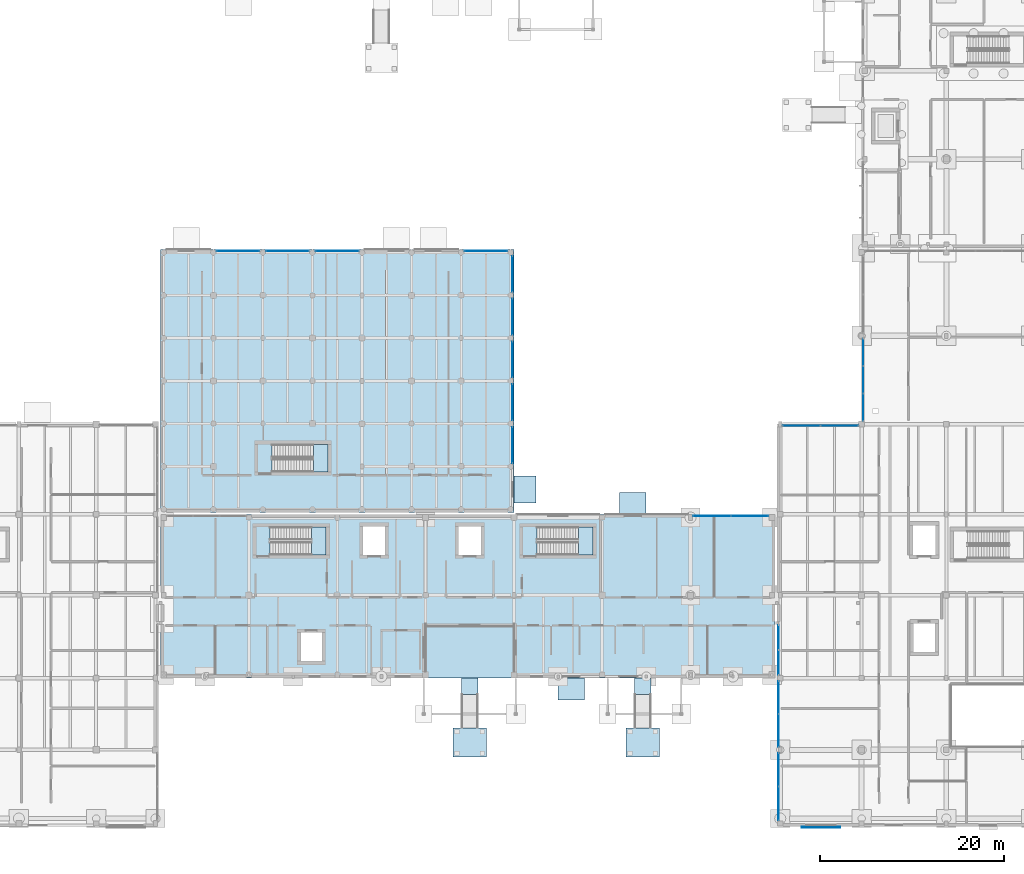
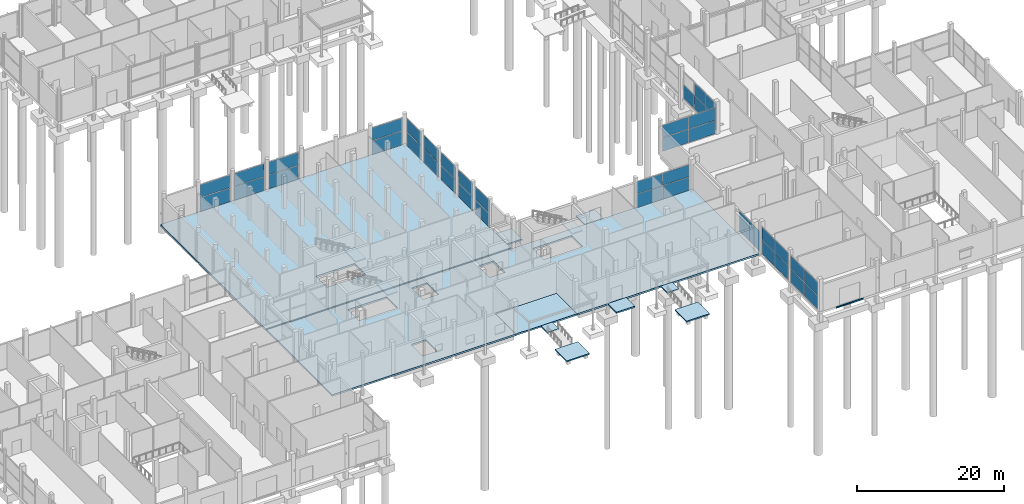
# One storey, part 49 of 88: 41 plates, 14 slabs, 20 elements without a shape of their own.
"""IFC4 building model written with IfcOpenShell, lengths in metres."""

from ifc_helpers import new_model, si_unit, direction, frame, origin, origin_2d, place, context, subcontext, project, spatial, polyline, rectangle, outline, extrude, material, layer, layer_set, type_object, element, aggregate, save


model = new_model("IFC4")

# Units and contexts
model_context = context("Model", 3, precision=1e-05, world=origin(), true_north=direction((0.0, 1.0)))
body_context = subcontext(model_context, "Body", "Model", "MODEL_VIEW")
ifc_project = project(units=[si_unit("LENGTHUNIT", "METRE"), si_unit("AREAUNIT", "SQUARE_METRE"), si_unit("VOLUMEUNIT", "CUBIC_METRE"), si_unit("PLANEANGLEUNIT", "RADIAN"), si_unit("MASSUNIT", "GRAM", prefix="KILO")], contexts=[model_context])

# Site, building, storey
site_placement = place(None, origin())
site = spatial("IfcSite", under=ifc_project, at=site_placement, CompositionType="ELEMENT")
building_placement = place(site_placement, origin())
building = spatial("IfcBuilding", under=site, at=building_placement, Name="Birchvale Park Specialist Clinic", CompositionType="ELEMENT")
storey_placement = place(building_placement, origin())
storey = spatial("IfcBuildingStorey", under=building, at=storey_placement, Name="L00", CompositionType="ELEMENT", Elevation=0.0)

# Curtain wall, plates
ifc_material_1 = material(Name="Thermally broken anodised aluminium", Category="aluminium")
ifc_layer_1 = layer(ifc_material_1, 0.179931640625)
ifc_layer_set_1 = layer_set([ifc_layer_1], Name="Thermally broken anodised aluminium")
curtain_wall_type_1 = type_object("IfcCurtainWallType", Name="CW-U1", PredefinedType="USERDEFINED", material=ifc_layer_set_1)
curtain_wall_1_placement = place(storey_placement, origin())
curtain_wall_1 = element("IfcCurtainWall", 1, at=curtain_wall_1_placement, inside=storey, type_object=curtain_wall_type_1, Name="V4 L00 glazed curtain wall 44", ObjectType="UNITISED", PredefinedType="USERDEFINED")
ifc_material_2 = material(Name="Solar-control low-E double glazing", Category="glass")
ifc_layer_2 = layer(ifc_material_2, 0.028076171875)
ifc_layer_set_2 = layer_set([ifc_layer_2], Name="Solar-control low-E double glazing")
plate_type_1 = type_object("IfcPlateType", Name="CWP1", PredefinedType="CURTAIN_PANEL", material=ifc_layer_set_2)
plate_1_placement = place(storey_placement, frame((115.826171875, 34.409912109375, 0.06005859375), z_axis=(0.0, 0.0, 1.0), x_axis=(-1.0, 0.0, 0.0)))
plate_1 = element("IfcPlate", 2, at=plate_1_placement, type_object=plate_type_1, Name="CW panel 1.1", PredefinedType="CURTAIN_PANEL", context=body_context, shape_type="SweptSolid", body=[
    extrude(rectangle(XDim=4.047607421875, YDim=0.028076171875, at=origin_2d()), origin(), (0.0, 0.0, 1.0), 2.205810546875),
])
plate_2_placement = place(storey_placement, frame((115.826171875, 34.409912109375, 2.32568359375), z_axis=(0.0, 0.0, 1.0), x_axis=(-1.0, 0.0, 0.0)))
plate_2 = element("IfcPlate", 3, at=plate_2_placement, type_object=plate_type_1, Name="CW panel 1.2", PredefinedType="CURTAIN_PANEL", context=body_context, shape_type="SweptSolid", body=[
    extrude(rectangle(XDim=4.047607421875, YDim=0.028076171875, at=origin_2d()), origin(), (0.0, 0.0, 1.0), 2.029296875),
])
plate_3_placement = place(storey_placement, frame((111.71875, 34.409912109375, 0.06005859375), z_axis=(0.0, 0.0, 1.0), x_axis=(-1.0, 0.0, 0.0)))
plate_3 = element("IfcPlate", 4, at=plate_3_placement, type_object=plate_type_1, Name="CW panel 2.1", PredefinedType="CURTAIN_PANEL", context=body_context, shape_type="SweptSolid", body=[
    extrude(rectangle(XDim=4.047607421875, YDim=0.028076171875, at=origin_2d()), origin(), (0.0, 0.0, 1.0), 2.205810546875),
])
plate_4_placement = place(storey_placement, frame((111.71875, 34.409912109375, 2.32568359375), z_axis=(0.0, 0.0, 1.0), x_axis=(-1.0, 0.0, 0.0)))
plate_4 = element("IfcPlate", 5, at=plate_4_placement, type_object=plate_type_1, Name="CW panel 2.2", PredefinedType="CURTAIN_PANEL", context=body_context, shape_type="SweptSolid", body=[
    extrude(rectangle(XDim=4.047607421875, YDim=0.028076171875, at=origin_2d()), origin(), (0.0, 0.0, 1.0), 2.029296875),
])
aggregate(curtain_wall_1, [plate_1, plate_2, plate_3, plate_4])

ifc_layer_3 = layer(ifc_material_1, 0.195068359375)
ifc_layer_set_3 = layer_set([ifc_layer_3], Name="Thermally broken anodised aluminium")
curtain_wall_type_2 = type_object("IfcCurtainWallType", Name="CW-U2", PredefinedType="USERDEFINED", material=ifc_layer_set_3)
curtain_wall_2_placement = place(storey_placement, origin())
curtain_wall_2 = element("IfcCurtainWall", 6, at=curtain_wall_2_placement, inside=storey, type_object=curtain_wall_type_2, Name="V1 L00 glazed curtain wall 1", ObjectType="UNITISED", PredefinedType="USERDEFINED")
ifc_layer_4 = layer(ifc_material_2, 0.031982421875)
ifc_layer_set_4 = layer_set([ifc_layer_4], Name="Solar-control low-E double glazing")
plate_type_2 = type_object("IfcPlateType", Name="CWP2", PredefinedType="CURTAIN_PANEL", material=ifc_layer_set_4)
plate_5_placement = place(storey_placement, frame((90.034912109375, 42.125, 0.06494140625), z_axis=(0.0, 0.0, 1.0), x_axis=(0.0, 1.0, 0.0)))
plate_5 = element("IfcPlate", 7, at=plate_5_placement, type_object=plate_type_2, Name="CW panel 1.1", PredefinedType="CURTAIN_PANEL", context=body_context, shape_type="SweptSolid", body=[
    extrude(rectangle(XDim=3.89990234375, YDim=0.031982421875, at=origin_2d()), origin(), (0.0, 0.0, 1.0), 2.3076171875),
])
plate_6_placement = place(storey_placement, frame((90.034912109375, 42.125, 2.4375), z_axis=(0.0, 0.0, 1.0), x_axis=(0.0, 1.0, 0.0)))
plate_6 = element("IfcPlate", 8, at=plate_6_placement, type_object=plate_type_2, Name="CW panel 1.2", PredefinedType="CURTAIN_PANEL", context=body_context, shape_type="SweptSolid", body=[
    extrude(rectangle(XDim=3.89990234375, YDim=0.031982421875, at=origin_2d()), origin(), (0.0, 0.0, 1.0), 2.12255859375),
])
aggregate(curtain_wall_2, [plate_5, plate_6])

curtain_wall_3_placement = place(storey_placement, origin())
curtain_wall_3 = element("IfcCurtainWall", 9, at=curtain_wall_3_placement, inside=storey, type_object=curtain_wall_type_2, Name="V1 L00 glazed curtain wall 2", ObjectType="UNITISED", PredefinedType="USERDEFINED")
plate_7_placement = place(storey_placement, frame((90.034912109375, 46.77490234375, 0.06494140625), z_axis=(0.0, 0.0, 1.0), x_axis=(0.0, 1.0, 0.0)))
plate_7 = element("IfcPlate", 10, at=plate_7_placement, type_object=plate_type_2, Name="CW panel 1.1", PredefinedType="CURTAIN_PANEL", context=body_context, shape_type="SweptSolid", body=[
    extrude(rectangle(XDim=3.89990234375, YDim=0.031982421875, at=origin_2d()), origin(), (0.0, 0.0, 1.0), 2.3076171875),
])
plate_8_placement = place(storey_placement, frame((90.034912109375, 46.77490234375, 2.4375), z_axis=(0.0, 0.0, 1.0), x_axis=(0.0, 1.0, 0.0)))
plate_8 = element("IfcPlate", 11, at=plate_8_placement, type_object=plate_type_2, Name="CW panel 1.2", PredefinedType="CURTAIN_PANEL", context=body_context, shape_type="SweptSolid", body=[
    extrude(rectangle(XDim=3.89990234375, YDim=0.031982421875, at=origin_2d()), origin(), (0.0, 0.0, 1.0), 2.12255859375),
])
aggregate(curtain_wall_3, [plate_7, plate_8])

curtain_wall_4_placement = place(storey_placement, origin())
curtain_wall_4 = element("IfcCurtainWall", 12, at=curtain_wall_4_placement, inside=storey, type_object=curtain_wall_type_2, Name="V1 L00 glazed curtain wall 3", ObjectType="UNITISED", PredefinedType="USERDEFINED")
plate_9_placement = place(storey_placement, frame((90.034912109375, 51.425048828125, 0.06494140625), z_axis=(0.0, 0.0, 1.0), x_axis=(0.0, 1.0, 0.0)))
plate_9 = element("IfcPlate", 13, at=plate_9_placement, type_object=plate_type_2, Name="CW panel 1.1", PredefinedType="CURTAIN_PANEL", context=body_context, shape_type="SweptSolid", body=[
    extrude(rectangle(XDim=3.89990234375, YDim=0.031982421875, at=origin_2d()), origin(), (0.0, 0.0, 1.0), 2.3076171875),
])
plate_10_placement = place(storey_placement, frame((90.034912109375, 51.425048828125, 2.4375), z_axis=(0.0, 0.0, 1.0), x_axis=(0.0, 1.0, 0.0)))
plate_10 = element("IfcPlate", 14, at=plate_10_placement, type_object=plate_type_2, Name="CW panel 1.2", PredefinedType="CURTAIN_PANEL", context=body_context, shape_type="SweptSolid", body=[
    extrude(rectangle(XDim=3.89990234375, YDim=0.031982421875, at=origin_2d()), origin(), (0.0, 0.0, 1.0), 2.12255859375),
])
aggregate(curtain_wall_4, [plate_9, plate_10])

curtain_wall_5_placement = place(storey_placement, origin())
curtain_wall_5 = element("IfcCurtainWall", 15, at=curtain_wall_5_placement, inside=storey, type_object=curtain_wall_type_2, Name="V1 L00 glazed curtain wall 4", ObjectType="UNITISED", PredefinedType="USERDEFINED")
plate_11_placement = place(storey_placement, frame((90.034912109375, 56.074951171875, 0.06494140625), z_axis=(0.0, 0.0, 1.0), x_axis=(0.0, 1.0, 0.0)))
plate_11 = element("IfcPlate", 16, at=plate_11_placement, type_object=plate_type_2, Name="CW panel 1.1", PredefinedType="CURTAIN_PANEL", context=body_context, shape_type="SweptSolid", body=[
    extrude(rectangle(XDim=3.89990234375, YDim=0.031982421875, at=origin_2d()), origin(), (0.0, 0.0, 1.0), 2.3076171875),
])
plate_12_placement = place(storey_placement, frame((90.034912109375, 56.074951171875, 2.4375), z_axis=(0.0, 0.0, 1.0), x_axis=(0.0, 1.0, 0.0)))
plate_12 = element("IfcPlate", 17, at=plate_12_placement, type_object=plate_type_2, Name="CW panel 1.2", PredefinedType="CURTAIN_PANEL", context=body_context, shape_type="SweptSolid", body=[
    extrude(rectangle(XDim=3.89990234375, YDim=0.031982421875, at=origin_2d()), origin(), (0.0, 0.0, 1.0), 2.12255859375),
])
aggregate(curtain_wall_5, [plate_11, plate_12])

curtain_wall_6_placement = place(storey_placement, origin())
curtain_wall_6 = element("IfcCurtainWall", 18, at=curtain_wall_6_placement, inside=storey, type_object=curtain_wall_type_2, Name="V1 L00 glazed curtain wall 5", ObjectType="UNITISED", PredefinedType="USERDEFINED")
plate_13_placement = place(storey_placement, frame((90.034912109375, 60.72509765625, 0.06494140625), z_axis=(0.0, 0.0, 1.0), x_axis=(0.0, 1.0, 0.0)))
plate_13 = element("IfcPlate", 19, at=plate_13_placement, type_object=plate_type_2, Name="CW panel 1.1", PredefinedType="CURTAIN_PANEL", context=body_context, shape_type="SweptSolid", body=[
    extrude(rectangle(XDim=3.89990234375, YDim=0.031982421875, at=origin_2d()), origin(), (0.0, 0.0, 1.0), 2.3076171875),
])
plate_14_placement = place(storey_placement, frame((90.034912109375, 60.72509765625, 2.4375), z_axis=(0.0, 0.0, 1.0), x_axis=(0.0, 1.0, 0.0)))
plate_14 = element("IfcPlate", 20, at=plate_14_placement, type_object=plate_type_2, Name="CW panel 1.2", PredefinedType="CURTAIN_PANEL", context=body_context, shape_type="SweptSolid", body=[
    extrude(rectangle(XDim=3.89990234375, YDim=0.031982421875, at=origin_2d()), origin(), (0.0, 0.0, 1.0), 2.12255859375),
])
aggregate(curtain_wall_6, [plate_13, plate_14])

curtain_wall_7_placement = place(storey_placement, origin())
curtain_wall_7 = element("IfcCurtainWall", 21, at=curtain_wall_7_placement, inside=storey, type_object=curtain_wall_type_2, Name="V1 L00 glazed curtain wall 6", ObjectType="UNITISED", PredefinedType="USERDEFINED")
plate_15_placement = place(storey_placement, frame((87.1572265625, 63.235107421875, 0.06494140625), z_axis=(0.0, 0.0, 1.0), x_axis=(-1.0, 0.0, 0.0)))
plate_15 = element("IfcPlate", 22, at=plate_15_placement, type_object=plate_type_2, Name="CW panel 1.1", PredefinedType="CURTAIN_PANEL", context=body_context, shape_type="SweptSolid", body=[
    extrude(rectangle(XDim=4.6357421875, YDim=0.031982421875, at=origin_2d()), origin(), (0.0, 0.0, 1.0), 2.281494140625),
])
plate_16_placement = place(storey_placement, frame((87.1572265625, 63.235107421875, 2.41162109375), z_axis=(0.0, 0.0, 1.0), x_axis=(-1.0, 0.0, 0.0)))
plate_16 = element("IfcPlate", 23, at=plate_16_placement, type_object=plate_type_2, Name="CW panel 1.2", PredefinedType="CURTAIN_PANEL", context=body_context, shape_type="SweptSolid", body=[
    extrude(rectangle(XDim=4.6357421875, YDim=0.031982421875, at=origin_2d()), origin(), (0.0, 0.0, 1.0), 2.098388671875),
])
aggregate(curtain_wall_7, [plate_15, plate_16])

curtain_wall_8_placement = place(storey_placement, origin())
curtain_wall_8 = element("IfcCurtainWall", 24, at=curtain_wall_8_placement, inside=storey, type_object=curtain_wall_type_2, Name="V1 L00 glazed curtain wall 7", ObjectType="UNITISED", PredefinedType="USERDEFINED")
plate_17_placement = place(storey_placement, frame((71.0, 63.235107421875, 0.06494140625), z_axis=(0.0, 0.0, 1.0), x_axis=(-1.0, 0.0, 0.0)))
plate_17 = element("IfcPlate", 25, at=plate_17_placement, type_object=plate_type_2, Name="CW panel 1.1", PredefinedType="CURTAIN_PANEL", context=body_context, shape_type="SweptSolid", body=[
    extrude(rectangle(XDim=4.6357421875, YDim=0.031982421875, at=origin_2d()), origin(), (0.0, 0.0, 1.0), 2.281494140625),
])
plate_18_placement = place(storey_placement, frame((71.0, 63.235107421875, 2.41162109375), z_axis=(0.0, 0.0, 1.0), x_axis=(-1.0, 0.0, 0.0)))
plate_18 = element("IfcPlate", 26, at=plate_18_placement, type_object=plate_type_2, Name="CW panel 1.2", PredefinedType="CURTAIN_PANEL", context=body_context, shape_type="SweptSolid", body=[
    extrude(rectangle(XDim=4.6357421875, YDim=0.031982421875, at=origin_2d()), origin(), (0.0, 0.0, 1.0), 2.098388671875),
])
aggregate(curtain_wall_8, [plate_17, plate_18])

curtain_wall_9_placement = place(storey_placement, origin())
curtain_wall_9 = element("IfcCurtainWall", 27, at=curtain_wall_9_placement, inside=storey, type_object=curtain_wall_type_2, Name="V1 L00 glazed curtain wall 8", ObjectType="UNITISED", PredefinedType="USERDEFINED")
plate_19_placement = place(storey_placement, frame((65.6142578125, 63.235107421875, 0.06494140625), z_axis=(0.0, 0.0, 1.0), x_axis=(-1.0, 0.0, 0.0)))
plate_19 = element("IfcPlate", 28, at=plate_19_placement, type_object=plate_type_2, Name="CW panel 1.1", PredefinedType="CURTAIN_PANEL", context=body_context, shape_type="SweptSolid", body=[
    extrude(rectangle(XDim=4.6357421875, YDim=0.031982421875, at=origin_2d()), origin(), (0.0, 0.0, 1.0), 2.281494140625),
])
plate_20_placement = place(storey_placement, frame((65.6142578125, 63.235107421875, 2.41162109375), z_axis=(0.0, 0.0, 1.0), x_axis=(-1.0, 0.0, 0.0)))
plate_20 = element("IfcPlate", 29, at=plate_20_placement, type_object=plate_type_2, Name="CW panel 1.2", PredefinedType="CURTAIN_PANEL", context=body_context, shape_type="SweptSolid", body=[
    extrude(rectangle(XDim=4.6357421875, YDim=0.031982421875, at=origin_2d()), origin(), (0.0, 0.0, 1.0), 2.098388671875),
])
aggregate(curtain_wall_9, [plate_19, plate_20])

curtain_wall_10_placement = place(storey_placement, origin())
curtain_wall_10 = element("IfcCurtainWall", 30, at=curtain_wall_10_placement, inside=storey, type_object=curtain_wall_type_2, Name="V1 L00 glazed curtain wall 9", ObjectType="UNITISED", PredefinedType="USERDEFINED")
plate_21_placement = place(storey_placement, frame((60.228515625, 63.235107421875, 0.06494140625), z_axis=(0.0, 0.0, 1.0), x_axis=(-1.0, 0.0, 0.0)))
plate_21 = element("IfcPlate", 31, at=plate_21_placement, type_object=plate_type_2, Name="CW panel 1.1", PredefinedType="CURTAIN_PANEL", context=body_context, shape_type="SweptSolid", body=[
    extrude(rectangle(XDim=4.6357421875, YDim=0.031982421875, at=origin_2d()), origin(), (0.0, 0.0, 1.0), 2.281494140625),
])
plate_22_placement = place(storey_placement, frame((60.228515625, 63.235107421875, 2.41162109375), z_axis=(0.0, 0.0, 1.0), x_axis=(-1.0, 0.0, 0.0)))
plate_22 = element("IfcPlate", 32, at=plate_22_placement, type_object=plate_type_2, Name="CW panel 1.2", PredefinedType="CURTAIN_PANEL", context=body_context, shape_type="SweptSolid", body=[
    extrude(rectangle(XDim=4.6357421875, YDim=0.031982421875, at=origin_2d()), origin(), (0.0, 0.0, 1.0), 2.098388671875),
])
aggregate(curtain_wall_10, [plate_21, plate_22])

curtain_wall_11_placement = place(storey_placement, origin())
curtain_wall_11 = element("IfcCurtainWall", 33, at=curtain_wall_11_placement, inside=storey, type_object=curtain_wall_type_2, Name="V5 L00 glazed curtain wall 51", ObjectType="UNITISED", PredefinedType="USERDEFINED")
plate_23_placement = place(storey_placement, frame((125.580078125, 44.22509765625, 0.06494140625), z_axis=(0.0, 0.0, 1.0), x_axis=(-1.0, 0.0, 0.0)))
plate_23 = element("IfcPlate", 34, at=plate_23_placement, type_object=plate_type_2, Name="CW panel 1.1", PredefinedType="CURTAIN_PANEL", context=body_context, shape_type="SweptSolid", body=[
    extrude(rectangle(XDim=4.06005859375, YDim=0.031982421875, at=origin_2d()), origin(), (0.0, 0.0, 1.0), 2.208740234375),
])
plate_24_placement = place(storey_placement, frame((125.580078125, 44.22509765625, 2.338623046875), z_axis=(0.0, 0.0, 1.0), x_axis=(-1.0, 0.0, 0.0)))
plate_24 = element("IfcPlate", 35, at=plate_24_placement, type_object=plate_type_2, Name="CW panel 1.2", PredefinedType="CURTAIN_PANEL", context=body_context, shape_type="SweptSolid", body=[
    extrude(rectangle(XDim=4.06005859375, YDim=0.031982421875, at=origin_2d()), origin(), (0.0, 0.0, 1.0), 2.03125),
])
plate_25_placement = place(storey_placement, frame((121.455078125, 44.22509765625, 0.06494140625), z_axis=(0.0, 0.0, 1.0), x_axis=(-1.0, 0.0, 0.0)))
plate_25 = element("IfcPlate", 36, at=plate_25_placement, type_object=plate_type_2, Name="CW panel 2.1", PredefinedType="CURTAIN_PANEL", context=body_context, shape_type="SweptSolid", body=[
    extrude(rectangle(XDim=4.06005859375, YDim=0.031982421875, at=origin_2d()), origin(), (0.0, 0.0, 1.0), 2.208740234375),
])
plate_26_placement = place(storey_placement, frame((121.455078125, 44.22509765625, 2.338623046875), z_axis=(0.0, 0.0, 1.0), x_axis=(-1.0, 0.0, 0.0)))
plate_26 = element("IfcPlate", 37, at=plate_26_placement, type_object=plate_type_2, Name="CW panel 2.2", PredefinedType="CURTAIN_PANEL", context=body_context, shape_type="SweptSolid", body=[
    extrude(rectangle(XDim=4.06005859375, YDim=0.031982421875, at=origin_2d()), origin(), (0.0, 0.0, 1.0), 2.03125),
])
aggregate(curtain_wall_11, [plate_23, plate_24, plate_25, plate_26])

curtain_wall_12_placement = place(storey_placement, origin())
curtain_wall_12 = element("IfcCurtainWall", 38, at=curtain_wall_12_placement, inside=storey, type_object=curtain_wall_type_2, Name="V5 L00 glazed curtain wall 52", ObjectType="UNITISED", PredefinedType="USERDEFINED")
plate_27_placement = place(storey_placement, frame((118.97509765625, 21.22509765625, 0.06494140625), z_axis=(0.0, 0.0, 1.0), x_axis=(0.0, -1.0, 0.0)))
plate_27 = element("IfcPlate", 39, at=plate_27_placement, type_object=plate_type_2, Name="CW panel 1.1", PredefinedType="CURTAIN_PANEL", context=body_context, shape_type="SweptSolid", body=[
    extrude(rectangle(XDim=2.669921875, YDim=0.031982421875, at=origin_2d()), origin(), (0.0, 0.0, 1.0), 3.3779296875),
])
plate_28_placement = place(storey_placement, frame((118.97509765625, 18.489990234375, 0.06494140625), z_axis=(0.0, 0.0, 1.0), x_axis=(0.0, -1.0, 0.0)))
plate_28 = element("IfcPlate", 40, at=plate_28_placement, type_object=plate_type_2, Name="CW panel 2.1", PredefinedType="CURTAIN_PANEL", context=body_context, shape_type="SweptSolid", body=[
    extrude(rectangle(XDim=2.669921875, YDim=0.031982421875, at=origin_2d()), origin(), (0.0, 0.0, 1.0), 3.3779296875),
])
aggregate(curtain_wall_12, [plate_27, plate_28])

curtain_wall_13_placement = place(storey_placement, origin())
curtain_wall_13 = element("IfcCurtainWall", 41, at=curtain_wall_13_placement, inside=storey, type_object=curtain_wall_type_2, Name="V5 L00 glazed curtain wall 53", ObjectType="UNITISED", PredefinedType="USERDEFINED")
plate_29_placement = place(storey_placement, frame((118.97509765625, 14.688720703125, 0.06494140625), z_axis=(0.0, 0.0, 1.0), x_axis=(0.0, -1.0, 0.0)))
plate_29 = element("IfcPlate", 42, at=plate_29_placement, type_object=plate_type_2, Name="CW panel 1.1", PredefinedType="CURTAIN_PANEL", context=body_context, shape_type="SweptSolid", body=[
    extrude(rectangle(XDim=3.512451171875, YDim=0.031982421875, at=origin_2d()), origin(), (0.0, 0.0, 1.0), 2.27880859375),
])
plate_30_placement = place(storey_placement, frame((118.97509765625, 14.688720703125, 2.408935546875), z_axis=(0.0, 0.0, 1.0), x_axis=(0.0, -1.0, 0.0)))
plate_30 = element("IfcPlate", 43, at=plate_30_placement, type_object=plate_type_2, Name="CW panel 1.2", PredefinedType="CURTAIN_PANEL", context=body_context, shape_type="SweptSolid", body=[
    extrude(rectangle(XDim=3.512451171875, YDim=0.031982421875, at=origin_2d()), origin(), (0.0, 0.0, 1.0), 2.09619140625),
])
plate_31_placement = place(storey_placement, frame((118.97509765625, 11.111328125, 0.06494140625), z_axis=(0.0, 0.0, 1.0), x_axis=(0.0, -1.0, 0.0)))
plate_31 = element("IfcPlate", 44, at=plate_31_placement, type_object=plate_type_2, Name="CW panel 2.1", PredefinedType="CURTAIN_PANEL", context=body_context, shape_type="SweptSolid", body=[
    extrude(rectangle(XDim=3.512451171875, YDim=0.031982421875, at=origin_2d()), origin(), (0.0, 0.0, 1.0), 2.27880859375),
])
plate_32_placement = place(storey_placement, frame((118.97509765625, 11.111328125, 2.408935546875), z_axis=(0.0, 0.0, 1.0), x_axis=(0.0, -1.0, 0.0)))
plate_32 = element("IfcPlate", 45, at=plate_32_placement, type_object=plate_type_2, Name="CW panel 2.2", PredefinedType="CURTAIN_PANEL", context=body_context, shape_type="SweptSolid", body=[
    extrude(rectangle(XDim=3.512451171875, YDim=0.031982421875, at=origin_2d()), origin(), (0.0, 0.0, 1.0), 2.09619140625),
])
aggregate(curtain_wall_13, [plate_29, plate_30, plate_31, plate_32])

curtain_wall_14_placement = place(storey_placement, origin())
curtain_wall_14 = element("IfcCurtainWall", 46, at=curtain_wall_14_placement, inside=storey, type_object=curtain_wall_type_2, Name="V5 L00 glazed curtain wall 54", ObjectType="UNITISED", PredefinedType="USERDEFINED")
plate_33_placement = place(storey_placement, frame((118.97509765625, 6.8388671875, 0.06494140625), z_axis=(0.0, 0.0, 1.0), x_axis=(0.0, -1.0, 0.0)))
plate_33 = element("IfcPlate", 47, at=plate_33_placement, type_object=plate_type_2, Name="CW panel 1.1", PredefinedType="CURTAIN_PANEL", context=body_context, shape_type="SweptSolid", body=[
    extrude(rectangle(XDim=3.612548828125, YDim=0.031982421875, at=origin_2d()), origin(), (0.0, 0.0, 1.0), 2.27880859375),
])
plate_34_placement = place(storey_placement, frame((118.97509765625, 6.8388671875, 2.408935546875), z_axis=(0.0, 0.0, 1.0), x_axis=(0.0, -1.0, 0.0)))
plate_34 = element("IfcPlate", 48, at=plate_34_placement, type_object=plate_type_2, Name="CW panel 1.2", PredefinedType="CURTAIN_PANEL", context=body_context, shape_type="SweptSolid", body=[
    extrude(rectangle(XDim=3.612548828125, YDim=0.031982421875, at=origin_2d()), origin(), (0.0, 0.0, 1.0), 2.09619140625),
])
plate_35_placement = place(storey_placement, frame((118.97509765625, 3.1611328125, 0.06494140625), z_axis=(0.0, 0.0, 1.0), x_axis=(0.0, -1.0, 0.0)))
plate_35 = element("IfcPlate", 49, at=plate_35_placement, type_object=plate_type_2, Name="CW panel 2.1", PredefinedType="CURTAIN_PANEL", context=body_context, shape_type="SweptSolid", body=[
    extrude(rectangle(XDim=3.612548828125, YDim=0.031982421875, at=origin_2d()), origin(), (0.0, 0.0, 1.0), 2.27880859375),
])
plate_36_placement = place(storey_placement, frame((118.97509765625, 3.1611328125, 2.408935546875), z_axis=(0.0, 0.0, 1.0), x_axis=(0.0, -1.0, 0.0)))
plate_36 = element("IfcPlate", 50, at=plate_36_placement, type_object=plate_type_2, Name="CW panel 2.2", PredefinedType="CURTAIN_PANEL", context=body_context, shape_type="SweptSolid", body=[
    extrude(rectangle(XDim=3.612548828125, YDim=0.031982421875, at=origin_2d()), origin(), (0.0, 0.0, 1.0), 2.09619140625),
])
aggregate(curtain_wall_14, [plate_33, plate_34, plate_35, plate_36])

curtain_wall_15_placement = place(storey_placement, origin())
curtain_wall_15 = element("IfcCurtainWall", 51, at=curtain_wall_15_placement, inside=storey, type_object=curtain_wall_type_2, Name="V5 L00 glazed curtain wall 60", ObjectType="UNITISED", PredefinedType="USERDEFINED")
plate_37_placement = place(storey_placement, frame((128.175048828125, 52.208740234375, 0.06494140625), z_axis=(0.0, 0.0, 1.0), x_axis=(0.0, -1.0, 0.0)))
plate_37 = element("IfcPlate", 52, at=plate_37_placement, type_object=plate_type_2, Name="CW panel 1.1", PredefinedType="CURTAIN_PANEL", context=body_context, shape_type="SweptSolid", body=[
    extrude(rectangle(XDim=2.902587890625, YDim=0.031982421875, at=origin_2d()), origin(), (0.0, 0.0, 1.0), 2.234619140625),
])
plate_38_placement = place(storey_placement, frame((128.175048828125, 49.22509765625, 0.06494140625), z_axis=(0.0, 0.0, 1.0), x_axis=(0.0, -1.0, 0.0)))
plate_38 = element("IfcPlate", 53, at=plate_38_placement, type_object=plate_type_2, Name="CW panel 2.1", PredefinedType="CURTAIN_PANEL", context=body_context, shape_type="SweptSolid", body=[
    extrude(rectangle(XDim=2.93505859375, YDim=0.031982421875, at=origin_2d()), origin(), (0.0, 0.0, 1.0), 2.234619140625),
])
plate_39_placement = place(storey_placement, frame((128.175048828125, 49.22509765625, 2.36474609375), z_axis=(0.0, 0.0, 1.0), x_axis=(0.0, -1.0, 0.0)))
plate_39 = element("IfcPlate", 54, at=plate_39_placement, type_object=plate_type_2, Name="CW panel 2.2", PredefinedType="CURTAIN_PANEL", context=body_context, shape_type="SweptSolid", body=[
    extrude(rectangle(XDim=2.93505859375, YDim=0.031982421875, at=origin_2d()), origin(), (0.0, 0.0, 1.0), 2.055419921875),
])
plate_40_placement = place(storey_placement, frame((128.175048828125, 46.2412109375, 0.06494140625), z_axis=(0.0, 0.0, 1.0), x_axis=(0.0, -1.0, 0.0)))
plate_40 = element("IfcPlate", 55, at=plate_40_placement, type_object=plate_type_2, Name="CW panel 3.1", PredefinedType="CURTAIN_PANEL", context=body_context, shape_type="SweptSolid", body=[
    extrude(rectangle(XDim=2.902587890625, YDim=0.031982421875, at=origin_2d()), origin(), (0.0, 0.0, 1.0), 2.234619140625),
])
plate_41_placement = place(storey_placement, frame((128.175048828125, 46.2412109375, 2.36474609375), z_axis=(0.0, 0.0, 1.0), x_axis=(0.0, -1.0, 0.0)))
plate_41 = element("IfcPlate", 56, at=plate_41_placement, type_object=plate_type_2, Name="CW panel 3.2", PredefinedType="CURTAIN_PANEL", context=body_context, shape_type="SweptSolid", body=[
    extrude(rectangle(XDim=2.902587890625, YDim=0.031982421875, at=origin_2d()), origin(), (0.0, 0.0, 1.0), 2.055419921875),
])
aggregate(curtain_wall_15, [plate_37, plate_38, plate_39, plate_40, plate_41])

# Slabs
ifc_material_3 = material(Name="Concrete C35/45", Category="concrete")
ifc_layer_5 = layer(ifc_material_3, 0.27001953125)
ifc_layer_set_5 = layer_set([ifc_layer_5], Name="Concrete C35/45")
slab_type_1 = type_object("IfcSlabType", Name="SLB-ES2", PredefinedType="FLOOR", material=ifc_layer_set_5)
slab_1_placement = place(storey_placement, frame((0.0, 0.0, -0.27001953125)))
element("IfcSlab", 57, at=slab_1_placement, inside=storey, type_object=slab_type_1, Name="V4 L00 outdoor terrace slab 1", PredefinedType="FLOOR", context=body_context, shape_type="SweptSolid", body=[
    extrude(outline(polyline([(80.60009765625, 16.800048828125), (90.199951171875, 16.800048828125), (90.199951171875, 22.39990234375), (80.60009765625, 22.39990234375), (80.60009765625, 16.800048828125)])), origin(), (0.0, 0.0, 1.0), 0.27001953125),
])
ifc_layer_6 = layer(ifc_material_3, 0.22998046875)
ifc_layer_set_6 = layer_set([ifc_layer_6], Name="Concrete C35/45")
slab_type_2 = type_object("IfcSlabType", Name="SLB-ES3", PredefinedType="FLOOR", material=ifc_layer_set_6)
slab_2_placement = place(storey_placement, frame((0.0, 0.0, -0.22998046875)))
element("IfcSlab", 58, at=slab_2_placement, inside=storey, type_object=slab_type_2, Name="V1 L00 exterior exit apron 1", PredefinedType="FLOOR", context=body_context, shape_type="SweptSolid", body=[
    extrude(outline(polyline([(90.195068359375, 35.85498046875), (92.594970703125, 35.85498046875), (92.594970703125, 38.7548828125), (90.195068359375, 38.7548828125), (90.195068359375, 35.85498046875)])), origin(), (0.0, 0.0, 1.0), 0.22998046875),
])
slab_3_placement = place(storey_placement, frame((0.0, 0.0, -0.22998046875)))
element("IfcSlab", 59, at=slab_3_placement, inside=storey, type_object=slab_type_2, Name="V4 L00 exterior exit apron 22", PredefinedType="FLOOR", context=body_context, shape_type="SweptSolid", body=[
    extrude(outline(polyline([(94.992919921875, 14.429931640625), (97.89306640625, 14.429931640625), (97.89306640625, 16.830078125), (94.992919921875, 16.830078125), (94.992919921875, 14.429931640625)])), origin(), (0.0, 0.0, 1.0), 0.22998046875),
])
slab_4_placement = place(storey_placement, frame((0.0, 0.0, -0.22998046875)))
element("IfcSlab", 60, at=slab_4_placement, inside=storey, type_object=slab_type_2, Name="V4 L00 exterior exit apron 24", PredefinedType="FLOOR", context=body_context, shape_type="SweptSolid", body=[
    extrude(outline(polyline([(101.674072265625, 34.570068359375), (104.573974609375, 34.570068359375), (104.573974609375, 36.969970703125), (101.674072265625, 36.969970703125), (101.674072265625, 34.570068359375)])), origin(), (0.0, 0.0, 1.0), 0.22998046875),
])
slab_5_placement = place(storey_placement, frame((0.0, 0.0, -0.22998046875)))
element("IfcSlab", 61, at=slab_5_placement, inside=storey, type_object=slab_type_2, Name="V5 L00 service gate threshold 6", PredefinedType="FLOOR", context=body_context, shape_type="SweptSolid", body=[
    extrude(outline(polyline([(121.488037109375, 0.56005859375), (125.68798828125, 0.56005859375), (125.68798828125, 0.64990234375), (121.488037109375, 0.64990234375), (121.488037109375, 0.56005859375)])), origin(), (0.0, 0.0, 1.0), 0.22998046875),
])
ifc_layer_7 = layer(ifc_material_3, 0.320068359375)
ifc_layer_set_7 = layer_set([ifc_layer_7], Name="Concrete C35/45")
slab_type_3 = type_object("IfcSlabType", Name="SLB-FS2", PredefinedType="FLOOR", material=ifc_layer_set_7)
slab_6_placement = place(storey_placement, frame((0.0, 0.0, -0.320068359375)))
element("IfcSlab", 62, at=slab_6_placement, inside=storey, type_object=slab_type_3, Name="V1 L00 structural slab 1", PredefinedType="FLOOR", context=body_context, shape_type="SweptSolid", body=[
    extrude(outline(polyline([(51.800048828125, 34.800048828125), (90.199951171875, 34.800048828125), (90.199951171875, 63.39990234375), (51.800048828125, 63.39990234375), (51.800048828125, 34.800048828125)]), holes=[polyline([(63.905029296875, 39.199951171875), (70.0, 39.199951171875), (70.0, 42.199951171875), (63.905029296875, 42.199951171875), (63.905029296875, 39.199951171875)])]), origin(), (0.0, 0.0, 1.0), 0.320068359375),
])
ifc_layer_8 = layer(ifc_material_3, 0.280029296875)
ifc_layer_set_8 = layer_set([ifc_layer_8], Name="Concrete C35/45")
slab_type_4 = type_object("IfcSlabType", Name="SLB-FS4", PredefinedType="FLOOR", material=ifc_layer_set_8)
slab_7_placement = place(storey_placement, frame((0.0, 0.0, -0.280029296875)))
element("IfcSlab", 63, at=slab_7_placement, inside=storey, type_object=slab_type_4, Name="V4 L00 structural slab 1", PredefinedType="FLOOR", context=body_context, shape_type="SweptSolid", body=[
    extrude(outline(polyline([(51.800048828125, 16.800048828125), (80.60009765625, 16.800048828125), (80.60009765625, 22.39990234375), (90.199951171875, 22.39990234375), (90.199951171875, 16.800048828125), (118.60009765625, 16.800048828125), (118.60009765625, 34.60009765625), (51.800048828125, 34.60009765625), (51.800048828125, 16.800048828125)]), holes=[polyline([(63.705078125, 30.199951171875), (69.800048828125, 30.199951171875), (69.800048828125, 33.199951171875), (63.705078125, 33.199951171875), (63.705078125, 30.199951171875)]), polyline([(92.705078125, 30.199951171875), (98.800048828125, 30.199951171875), (98.800048828125, 33.199951171875), (92.705078125, 33.199951171875), (92.705078125, 30.199951171875)]), polyline([(73.800048828125, 30.199951171875), (76.199951171875, 30.199951171875), (76.199951171875, 33.300048828125), (73.800048828125, 33.300048828125), (73.800048828125, 30.199951171875)]), polyline([(84.199951171875, 30.199951171875), (86.60009765625, 30.199951171875), (86.60009765625, 33.300048828125), (84.199951171875, 33.300048828125), (84.199951171875, 30.199951171875)]), polyline([(67.050048828125, 18.64990234375), (69.35009765625, 18.64990234375), (69.35009765625, 21.75), (67.050048828125, 21.75), (67.050048828125, 18.64990234375)])]), origin(), (0.0, 0.0, 1.0), 0.280029296875),
])

# Ramp, slabs
ramp_type = type_object("IfcRampType", Name="RMP-AR1", PredefinedType="STRAIGHT_RUN_RAMP", material=ifc_material_3)
ramp_1_placement = place(storey_placement, origin())
ramp_1 = element("IfcRamp", 64, at=ramp_1_placement, inside=storey, type_object=ramp_type, Name="Accessible 1:12 entrance ramp AR-1", PredefinedType="STRAIGHT_RUN_RAMP")
ifc_layer_9 = layer(ifc_material_3, 0.199951171875)
ifc_layer_set_9 = layer_set([ifc_layer_9], Name="Concrete C35/45")
slab_type_5 = type_object("IfcSlabType", Name="SLB-LND1", PredefinedType="LANDING", material=ifc_layer_set_9)
slab_8_placement = place(storey_placement, frame((0.0, 0.0, -0.5)))
slab_8 = element("IfcSlab", 65, at=slab_8_placement, type_object=slab_type_5, Name="Accessible ramp bottom landing AR-1", PredefinedType="LANDING", context=body_context, shape_type="SweptSolid", body=[
    extrude(outline(polyline([(83.60009765625, 8.199951171875), (87.199951171875, 8.199951171875), (87.199951171875, 11.39990234375), (83.60009765625, 11.39990234375), (83.60009765625, 8.199951171875)])), origin(), (0.0, 0.0, 1.0), 0.199951171875),
])
slab_9_placement = place(storey_placement, frame((0.0, 0.0, -0.199951171875)))
slab_9 = element("IfcSlab", 66, at=slab_9_placement, type_object=slab_type_5, Name="Accessible ramp top landing AR-1", PredefinedType="LANDING", context=body_context, shape_type="SweptSolid", body=[
    extrude(outline(polyline([(84.5, 15.0), (86.300048828125, 15.0), (86.300048828125, 16.800048828125), (84.5, 16.800048828125), (84.5, 15.0)])), origin(), (0.0, 0.0, 1.0), 0.199951171875),
])
aggregate(ramp_1, [slab_8, slab_9])

ramp_2_placement = place(storey_placement, origin())
ramp_2 = element("IfcRamp", 67, at=ramp_2_placement, inside=storey, type_object=ramp_type, Name="Accessible 1:12 entrance ramp AR-4", PredefinedType="STRAIGHT_RUN_RAMP")
slab_10_placement = place(storey_placement, frame((0.0, 0.0, -0.5)))
slab_10 = element("IfcSlab", 68, at=slab_10_placement, type_object=slab_type_5, Name="Accessible ramp bottom landing AR-4", PredefinedType="LANDING", context=body_context, shape_type="SweptSolid", body=[
    extrude(outline(polyline([(102.39990234375, 8.199951171875), (106.0, 8.199951171875), (106.0, 11.39990234375), (102.39990234375, 11.39990234375), (102.39990234375, 8.199951171875)])), origin(), (0.0, 0.0, 1.0), 0.199951171875),
])
slab_11_placement = place(storey_placement, frame((0.0, 0.0, -0.199951171875)))
slab_11 = element("IfcSlab", 69, at=slab_11_placement, type_object=slab_type_5, Name="Accessible ramp top landing AR-4", PredefinedType="LANDING", context=body_context, shape_type="SweptSolid", body=[
    extrude(outline(polyline([(103.300048828125, 15.0), (105.10009765625, 15.0), (105.10009765625, 16.800048828125), (103.300048828125, 16.800048828125), (103.300048828125, 15.0)])), origin(), (0.0, 0.0, 1.0), 0.199951171875),
])
aggregate(ramp_2, [slab_10, slab_11])

# Stair, slab
stair_type = type_object("IfcStairType", Name="ST-H54", PredefinedType="HALF_TURN_STAIR", material=ifc_material_3)
stair_1_placement = place(storey_placement, origin())
stair_1 = element("IfcStair", 70, at=stair_1_placement, inside=storey, type_object=stair_type, Name="L00 Protected exit stair ST1", PredefinedType="HALF_TURN_STAIR")
slab_12_placement = place(storey_placement, frame((0.0, 0.0, 2.5)))
slab_12 = element("IfcSlab", 71, at=slab_12_placement, type_object=slab_type_5, Name="ST1 landing 1", PredefinedType="LANDING", context=body_context, shape_type="SweptSolid", body=[
    extrude(outline(polyline([(68.39990234375, 39.199951171875), (70.0, 39.199951171875), (70.0, 42.199951171875), (68.39990234375, 42.199951171875), (68.39990234375, 39.199951171875)])), origin(), (0.0, 0.0, 1.0), 0.199951171875),
])
aggregate(stair_1, [slab_12])

stair_2_placement = place(storey_placement, origin())
stair_2 = element("IfcStair", 72, at=stair_2_placement, inside=storey, type_object=stair_type, Name="L00 Protected exit stair ST4", PredefinedType="HALF_TURN_STAIR")
slab_13_placement = place(storey_placement, frame((0.0, 0.0, 2.5)))
slab_13 = element("IfcSlab", 73, at=slab_13_placement, type_object=slab_type_5, Name="ST4 landing 1", PredefinedType="LANDING", context=body_context, shape_type="SweptSolid", body=[
    extrude(outline(polyline([(68.199951171875, 30.199951171875), (69.800048828125, 30.199951171875), (69.800048828125, 33.199951171875), (68.199951171875, 33.199951171875), (68.199951171875, 30.199951171875)])), origin(), (0.0, 0.0, 1.0), 0.199951171875),
])
aggregate(stair_2, [slab_13])

stair_3_placement = place(storey_placement, origin())
stair_3 = element("IfcStair", 74, at=stair_3_placement, inside=storey, type_object=stair_type, Name="L00 Protected exit stair ST5", PredefinedType="HALF_TURN_STAIR")
slab_14_placement = place(storey_placement, frame((0.0, 0.0, 2.5)))
slab_14 = element("IfcSlab", 75, at=slab_14_placement, type_object=slab_type_5, Name="ST5 landing 1", PredefinedType="LANDING", context=body_context, shape_type="SweptSolid", body=[
    extrude(outline(polyline([(97.199951171875, 30.199951171875), (98.800048828125, 30.199951171875), (98.800048828125, 33.199951171875), (97.199951171875, 33.199951171875), (97.199951171875, 30.199951171875)])), origin(), (0.0, 0.0, 1.0), 0.199951171875),
])
aggregate(stair_3, [slab_14])

save(model, "model.ifc")
